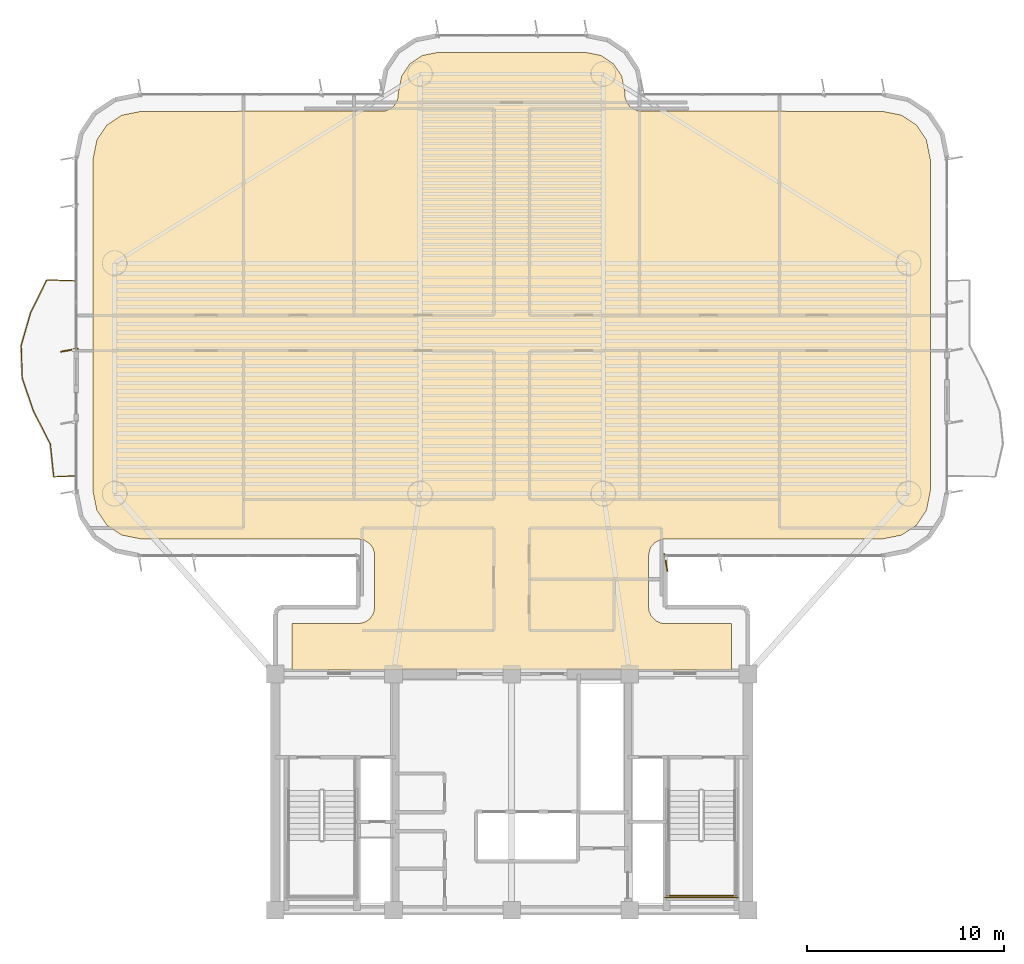
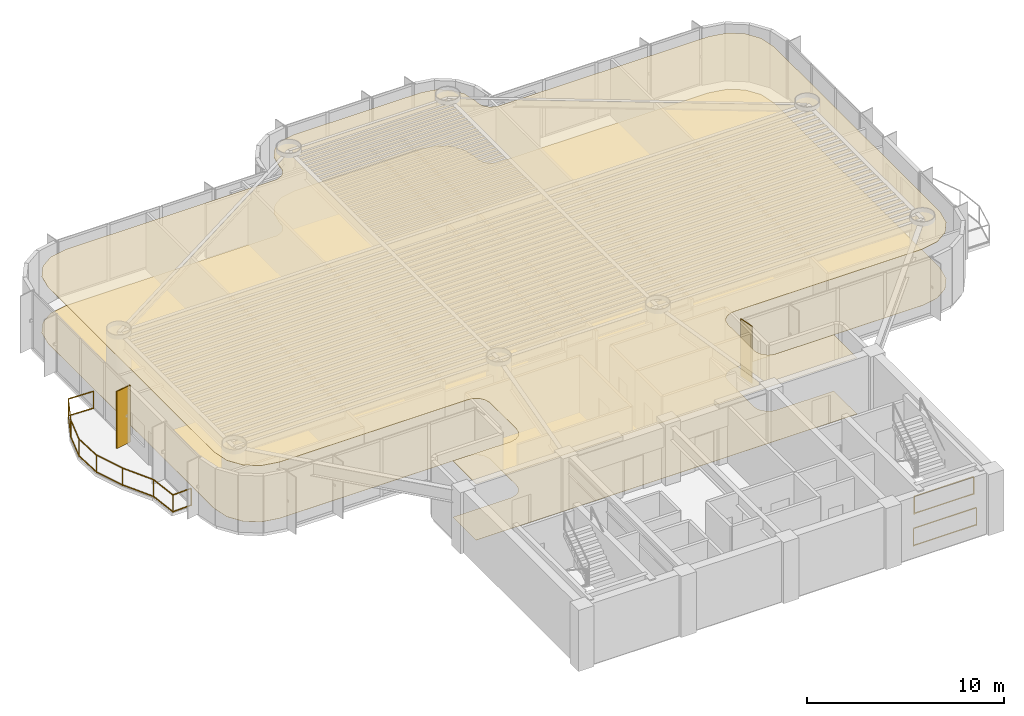
# One storey, part 14 of 16: 3 railings, 2 coverings, 2 shading devices.
"""IFC4 building model written with IfcOpenShell, lengths in metres."""

from ifc_helpers import new_model, si_unit, direction, frame, origin, origin_2d, place, context, subcontext, project, spatial, polyline, rectangle, outline, extrude, source, transform, mapped, material, layer, layer_set, material_profile, profile_set, type_object, element, save


model = new_model("IFC4")

# Units and contexts
model_context = context("Model", 3, precision=1e-05, world=origin(), true_north=direction((0.0, 1.0)))
body_context = subcontext(model_context, "Body", "Model", "MODEL_VIEW")
ifc_project = project(units=[si_unit("LENGTHUNIT", "METRE"), si_unit("AREAUNIT", "SQUARE_METRE"), si_unit("VOLUMEUNIT", "CUBIC_METRE"), si_unit("PLANEANGLEUNIT", "RADIAN"), si_unit("MASSUNIT", "GRAM", prefix="KILO")], contexts=[model_context])

# Site, building, storey
site_placement = place(None, origin())
site = spatial("IfcSite", under=ifc_project, at=site_placement, CompositionType="ELEMENT")
building_placement = place(site_placement, origin())
building = spatial("IfcBuilding", under=site, at=building_placement, Name="Brelvock Crest Care Tower", CompositionType="ELEMENT")
storey_placement = place(building_placement, frame((0.0, 0.0, 120.06005859375)))
storey = spatial("IfcBuildingStorey", under=building, at=storey_placement, Name="L30", CompositionType="ELEMENT", Elevation=120.06005859375)

# Coverings
ifc_material_1 = material(Name="Mineral Fibre Acoustic Ceiling Tile", Category="gypsum")
ifc_layer_1 = layer(ifc_material_1, 0.02490234375, Name="COV-CLG1")
ifc_layer_set_1 = layer_set([ifc_layer_1], Name="Mineral Fibre Acoustic Ceiling Tile")
covering_type_1 = type_object("IfcCoveringType", Name="COV-CLG1", PredefinedType="CEILING", material=ifc_layer_set_1)
covering_1_placement = place(storey_placement, frame((0.0, 0.0, 3.474853515625)))
element("IfcCovering", 1, at=covering_1_placement, inside=storey, type_object=covering_type_1, Name="L30 Acoustic Suspended Ceiling 1", PredefinedType="CEILING", context=body_context, shape_type="SweptSolid", body=[
    extrude(outline(polyline([(24.85009765625, 18.199951171875), (47.14990234375, 18.199951171875), (47.14990234375, 20.550048828125), (43.716796875, 20.55419921875), (43.55322265625, 20.586669921875), (43.327880859375, 20.693359375), (43.09326171875, 20.927734375), (42.986572265625, 21.1533203125), (42.949951171875, 21.39990234375), (42.949951171875, 24.0), (43.0146484375, 24.3251953125), (43.09326171875, 24.47216796875), (43.2607421875, 24.656982421875), (43.55322265625, 24.8134765625), (43.800048828125, 24.85009765625), (54.81640625, 24.85009765625), (55.79296875, 25.044189453125), (56.5498046875, 25.550048828125), (57.0556640625, 26.30712890625), (57.25, 27.28369140625), (57.25, 44.1162109375), (57.0556640625, 45.093017578125), (56.5498046875, 45.849853515625), (55.79296875, 46.355712890625), (54.81640625, 46.550048828125), (42.43408203125, 46.56640625), (42.127685546875, 46.693359375), (41.9990234375, 46.799072265625), (41.850341796875, 46.999267578125), (41.766357421875, 47.234130859375), (41.75, 47.516357421875), (41.586181640625, 48.33984375), (41.1669921875, 48.967041015625), (40.539794921875, 49.38623046875), (39.71630859375, 49.550048828125), (32.28369140625, 49.550048828125), (31.460205078125, 49.38623046875), (30.8330078125, 48.967041015625), (30.413818359375, 48.33984375), (30.25, 47.516357421875), (30.233642578125, 47.234130859375), (30.149658203125, 46.999267578125), (30.0009765625, 46.799072265625), (29.872314453125, 46.693359375), (29.56591796875, 46.56640625), (17.18359375, 46.550048828125), (16.20703125, 46.355712890625), (15.4501953125, 45.849853515625), (14.9443359375, 45.093017578125), (14.75, 44.1162109375), (14.75, 27.28369140625), (14.9443359375, 26.30712890625), (15.4501953125, 25.550048828125), (16.20703125, 25.044189453125), (17.18359375, 24.85009765625), (28.199951171875, 24.85009765625), (28.525390625, 24.785400390625), (28.801025390625, 24.60107421875), (28.94970703125, 24.400634765625), (29.0458984375, 24.083251953125), (29.050048828125, 21.39990234375), (28.9853515625, 21.07470703125), (28.801025390625, 20.799072265625), (28.6005859375, 20.650390625), (28.283203125, 20.55419921875), (24.85009765625, 20.550048828125), (24.85009765625, 18.199951171875)])), origin(), (0.0, 0.0, 1.0), 0.025146484375),
])
ifc_material_2 = material(Name="Slip-Resistant Acoustic Vinyl Flooring", Category="finish")
ifc_layer_2 = layer(ifc_material_2, 0.014892578125, Name="COV-FLR1")
ifc_layer_set_2 = layer_set([ifc_layer_2], Name="Slip-Resistant Acoustic Vinyl Flooring")
covering_type_2 = type_object("IfcCoveringType", Name="COV-FLR1", PredefinedType="FLOORING", material=ifc_layer_set_2)
covering_2_placement = place(storey_placement, origin())
element("IfcCovering", 2, at=covering_2_placement, inside=storey, type_object=covering_type_2, Name="L30 Slip-Resistant Acoustic Flooring 1", PredefinedType="FLOORING", context=body_context, shape_type="SweptSolid", body=[
    extrude(outline(polyline([(24.85009765625, 18.199951171875), (47.14990234375, 18.199951171875), (47.14990234375, 20.550048828125), (43.716796875, 20.55419921875), (43.55322265625, 20.586669921875), (43.327880859375, 20.693359375), (43.09326171875, 20.927734375), (42.986572265625, 21.1533203125), (42.949951171875, 21.39990234375), (42.949951171875, 24.0), (43.0146484375, 24.3251953125), (43.09326171875, 24.47216796875), (43.2607421875, 24.656982421875), (43.55322265625, 24.8134765625), (43.800048828125, 24.85009765625), (54.81640625, 24.85009765625), (55.79296875, 25.044189453125), (56.5498046875, 25.550048828125), (57.0556640625, 26.30712890625), (57.25, 27.28369140625), (57.25, 44.1162109375), (57.0556640625, 45.093017578125), (56.5498046875, 45.849853515625), (55.79296875, 46.355712890625), (54.81640625, 46.550048828125), (42.43408203125, 46.56640625), (42.127685546875, 46.693359375), (41.9990234375, 46.799072265625), (41.850341796875, 46.999267578125), (41.766357421875, 47.234130859375), (41.75, 47.516357421875), (41.586181640625, 48.33984375), (41.1669921875, 48.967041015625), (40.539794921875, 49.38623046875), (39.71630859375, 49.550048828125), (32.28369140625, 49.550048828125), (31.460205078125, 49.38623046875), (30.8330078125, 48.967041015625), (30.413818359375, 48.33984375), (30.25, 47.516357421875), (30.233642578125, 47.234130859375), (30.149658203125, 46.999267578125), (30.0009765625, 46.799072265625), (29.872314453125, 46.693359375), (29.56591796875, 46.56640625), (17.18359375, 46.550048828125), (16.20703125, 46.355712890625), (15.4501953125, 45.849853515625), (14.9443359375, 45.093017578125), (14.75, 44.1162109375), (14.75, 27.28369140625), (14.9443359375, 26.30712890625), (15.4501953125, 25.550048828125), (16.20703125, 25.044189453125), (17.18359375, 24.85009765625), (28.199951171875, 24.85009765625), (28.525390625, 24.785400390625), (28.801025390625, 24.60107421875), (28.94970703125, 24.400634765625), (29.0458984375, 24.083251953125), (29.050048828125, 21.39990234375), (28.9853515625, 21.07470703125), (28.801025390625, 20.799072265625), (28.6005859375, 20.650390625), (28.283203125, 20.55419921875), (24.85009765625, 20.550048828125), (24.85009765625, 18.199951171875)])), origin(), (0.0, 0.0, 1.0), 0.014892578125),
])

# Railings
ifc_material_3 = material(Name="Dark Glass Double Glazed Low-E", Category="glass")
ifc_layer_3 = layer(ifc_material_3, 0.06005859375, Name="RL-BAL1")
ifc_layer_set_3 = layer_set([ifc_layer_3], Name="Dark Glass Double Glazed Low-E")
railing_type_1 = type_object("IfcRailingType", Name="RL-BAL1", PredefinedType="BALUSTRADE", material=ifc_layer_set_3)
railing_1_placement = place(storey_placement, frame((13.860107421875, 28.050048828125, 0.00390625)))
element("IfcRailing", 3, at=railing_1_placement, inside=storey, type_object=railing_type_1, Name="L30 Safety Balustrade WB-W", PredefinedType="BALUSTRADE", context=body_context, shape_type="SweptSolid", body=[
    extrude(rectangle(XDim=0.048095703125, YDim=0.048095703125, at=origin_2d()), frame((-0.001953125, 0.0, 1.09619140625), z_axis=(-0.998966710972, -0.045447886318, 0.0), x_axis=(0.045447886318, -0.998966710972, 0.0)), (0.0, 0.0, 1.0), 1.09716796875),
    extrude(rectangle(XDim=0.048095703125, YDim=0.048095703125, at=origin_2d()), frame((-0.001953125, 0.0, 0.054931640625), z_axis=(-0.998966710972, -0.045447886318, 0.0), x_axis=(0.045447886318, -0.998966710972, 0.0)), (0.0, 0.0, 1.0), 1.09716796875),
    extrude(rectangle(XDim=0.048095703125, YDim=0.048095703125, at=origin_2d()), frame((-1.100341796875, -0.048095703125, 1.09619140625), z_axis=(-0.103729188721, 0.994605577808, 0.0), x_axis=(-0.994605577808, -0.103729188721, 0.0)), (0.0, 0.0, 1.0), 1.671875),
    extrude(rectangle(XDim=0.048095703125, YDim=0.048095703125, at=origin_2d()), frame((-1.100341796875, -0.048095703125, 0.054931640625), z_axis=(-0.103729188721, 0.994605577808, 0.0), x_axis=(-0.994605577808, -0.103729188721, 0.0)), (0.0, 0.0, 1.0), 1.671875),
    extrude(rectangle(XDim=0.048095703125, YDim=0.048095703125, at=origin_2d()), frame((-1.27490234375, 1.618408203125, 1.09619140625), z_axis=(-0.454816788854, 0.890585026023, 0.0), x_axis=(-0.890585026023, -0.454816788854, 0.0)), (0.0, 0.0, 1.0), 1.8671875),
    extrude(rectangle(XDim=0.048095703125, YDim=0.048095703125, at=origin_2d()), frame((-1.27490234375, 1.618408203125, 0.054931640625), z_axis=(-0.454816788854, 0.890585026023, 0.0), x_axis=(-0.890585026023, -0.454816788854, 0.0)), (0.0, 0.0, 1.0), 1.8671875),
    extrude(rectangle(XDim=0.048095703125, YDim=0.048095703125, at=origin_2d()), frame((-2.125732421875, 3.28515625, 1.09619140625), z_axis=(-0.324735154132, 0.945804990297, 0.0), x_axis=(-0.945804990297, -0.324735154132, 0.0)), (0.0, 0.0, 1.0), 1.75830078125),
    extrude(rectangle(XDim=0.048095703125, YDim=0.048095703125, at=origin_2d()), frame((-2.125732421875, 3.28515625, 0.054931640625), z_axis=(-0.324735154132, 0.945804990297, 0.0), x_axis=(-0.945804990297, -0.324735154132, 0.0)), (0.0, 0.0, 1.0), 1.75830078125),
    extrude(rectangle(XDim=0.048095703125, YDim=0.048095703125, at=origin_2d()), frame((-2.697265625, 4.951904296875, 1.09619140625), z_axis=(-0.034109333385, 0.999418107388, 0.0), x_axis=(-0.999418107388, -0.034109333385, 0.0)), (0.0, 0.0, 1.0), 1.663818359375),
    extrude(rectangle(XDim=0.048095703125, YDim=0.048095703125, at=origin_2d()), frame((-2.697265625, 4.951904296875, 0.054931640625), z_axis=(-0.034109333385, 0.999418107388, 0.0), x_axis=(-0.999418107388, -0.034109333385, 0.0)), (0.0, 0.0, 1.0), 1.663818359375),
    extrude(rectangle(XDim=0.048095703125, YDim=0.048095703125, at=origin_2d()), frame((-2.753662109375, 6.61865234375, 1.09619140625), z_axis=(0.277935062116, 0.960599865317, 0.0), x_axis=(-0.960599865317, 0.277935062116, 0.0)), (0.0, 0.0, 1.0), 1.73095703125),
    extrude(rectangle(XDim=0.048095703125, YDim=0.048095703125, at=origin_2d()), frame((-2.753662109375, 6.61865234375, 0.054931640625), z_axis=(0.277935062116, 0.960599865317, 0.0), x_axis=(-0.960599865317, 0.277935062116, 0.0)), (0.0, 0.0, 1.0), 1.73095703125),
    extrude(rectangle(XDim=0.048095703125, YDim=0.048095703125, at=origin_2d()), frame((-2.27099609375, 8.284912109375, 1.09619140625), z_axis=(0.442214310765, 0.896909417586, 0.0), x_axis=(-0.896909417586, 0.442214310765, 0.0)), (0.0, 0.0, 1.0), 1.854248046875),
    extrude(rectangle(XDim=0.048095703125, YDim=0.048095703125, at=origin_2d()), frame((-2.27099609375, 8.284912109375, 0.054931640625), z_axis=(0.442214310765, 0.896909417586, 0.0), x_axis=(-0.896909417586, 0.442214310765, 0.0)), (0.0, 0.0, 1.0), 1.854248046875),
    extrude(rectangle(XDim=0.048095703125, YDim=0.048095703125, at=origin_2d()), frame((-1.4482421875, 9.949951171875, 1.09619140625), z_axis=(0.999404999824, -0.034491249994, 0.0), x_axis=(0.034491249994, 0.999404999824, 0.0)), (0.0, 0.0, 1.0), 1.447021484375),
    extrude(rectangle(XDim=0.048095703125, YDim=0.048095703125, at=origin_2d()), frame((-1.4482421875, 9.949951171875, 0.054931640625), z_axis=(0.999404999824, -0.034491249994, 0.0), x_axis=(0.034491249994, 0.999404999824, 0.0)), (0.0, 0.0, 1.0), 1.447021484375),
    extrude(rectangle(XDim=0.0419921875, YDim=0.0419921875, at=origin_2d()), origin(), (0.0, 0.0, 1.0), 1.070068359375),
    extrude(rectangle(XDim=0.0419921875, YDim=0.0419921875, at=origin_2d()), frame((-1.10009765625, -0.050048828125, 0.0)), (0.0, 0.0, 1.0), 1.070068359375),
    extrude(rectangle(XDim=0.0419921875, YDim=0.0419921875, at=origin_2d()), frame((-1.27392578125, 1.61669921875, 0.0)), (0.0, 0.0, 1.0), 1.070068359375),
    extrude(rectangle(XDim=0.0419921875, YDim=0.0419921875, at=origin_2d()), frame((-2.125, 3.283203125, 0.0)), (0.0, 0.0, 1.0), 1.070068359375),
    extrude(rectangle(XDim=0.0419921875, YDim=0.0419921875, at=origin_2d()), frame((-2.697265625, 4.949951171875, 0.0)), (0.0, 0.0, 1.0), 1.070068359375),
    extrude(rectangle(XDim=0.0419921875, YDim=0.0419921875, at=origin_2d()), frame((-2.754150390625, 6.61669921875, 0.0)), (0.0, 0.0, 1.0), 1.070068359375),
    extrude(rectangle(XDim=0.0419921875, YDim=0.0419921875, at=origin_2d()), frame((-2.27197265625, 8.283203125, 0.0)), (0.0, 0.0, 1.0), 1.070068359375),
    extrude(rectangle(XDim=0.0419921875, YDim=0.0419921875, at=origin_2d()), frame((-1.4501953125, 9.949951171875, 0.0)), (0.0, 0.0, 1.0), 1.070068359375),
    extrude(rectangle(XDim=0.0419921875, YDim=0.0419921875, at=origin_2d()), frame((0.0, 9.89990234375, 0.0)), (0.0, 0.0, 1.0), 1.070068359375),
])
ifc_material_4 = material(Name="Steel Grade 350", Category="steel")
ifc_layer_4 = layer(ifc_material_4, 0.050048828125, Name="RL-STG1")
ifc_layer_set_4 = layer_set([ifc_layer_4], Name="Steel Grade 350")
railing_type_2 = type_object("IfcRailingType", Name="RL-STG1", PredefinedType="GUARDRAIL", material=ifc_layer_set_4)
railing_2_placement = place(storey_placement, frame((43.889892578125, 6.75, 1.889892578125)))
element("IfcRailing", 4, at=railing_2_placement, inside=storey, type_object=railing_type_2, Name="L30 ST-2 stair guard 5", PredefinedType="GUARDRAIL", context=body_context, shape_type="SweptSolid", body=[
    extrude(rectangle(XDim=0.048095703125, YDim=0.048095703125, at=origin_2d()), frame((0.001953125, 0.0, 1.11572265625), z_axis=(1.0, 0.0, 0.0), x_axis=(0.0, 1.0, 0.0)), (0.0, 0.0, 1.0), 3.476318359375),
    extrude(rectangle(XDim=0.048095703125, YDim=0.048095703125, at=origin_2d()), frame((0.001953125, 0.0, 0.054931640625), z_axis=(1.0, 0.0, 0.0), x_axis=(0.0, 1.0, 0.0)), (0.0, 0.0, 1.0), 3.476318359375),
    extrude(rectangle(XDim=0.0419921875, YDim=0.0419921875, at=origin_2d()), origin(), (0.0, 0.0, 1.0), 1.08984375),
    extrude(rectangle(XDim=0.0419921875, YDim=0.0419921875, at=origin_2d()), frame((3.480224609375, 0.0, 0.0)), (0.0, 0.0, 1.0), 1.08984375),
])
railing_3_placement = place(storey_placement, frame((43.7900390625, 6.64990234375, 0.0)))
element("IfcRailing", 5, at=railing_3_placement, inside=storey, type_object=railing_type_2, Name="L30 ST-2 stair guard 12", PredefinedType="GUARDRAIL", context=body_context, shape_type="SweptSolid", body=[
    extrude(rectangle(XDim=0.048095703125, YDim=0.048095703125, at=origin_2d()), frame((0.001953125, 0.0, 1.11572265625), z_axis=(1.0, 0.0, 0.0), x_axis=(0.0, 1.0, 0.0)), (0.0, 0.0, 1.0), 3.676025390625),
    extrude(rectangle(XDim=0.048095703125, YDim=0.048095703125, at=origin_2d()), frame((0.001953125, 0.0, 0.054931640625), z_axis=(1.0, 0.0, 0.0), x_axis=(0.0, 1.0, 0.0)), (0.0, 0.0, 1.0), 3.676025390625),
    extrude(rectangle(XDim=0.0419921875, YDim=0.0419921875, at=origin_2d()), origin(), (0.0, 0.0, 1.0), 1.08984375),
    extrude(rectangle(XDim=0.0419921875, YDim=0.0419921875, at=origin_2d()), frame((3.679931640625, 0.0, 0.0)), (0.0, 0.0, 1.0), 1.08984375),
])

# Shading devices
ifc_material_5 = material(Name="Aluminium 6063-T6", Category="aluminium")
ifc_material_profile = material_profile(ifc_material_5, rectangle(XDim=0.054931640625, YDim=0.89990234375, at=origin_2d()), Name="FIN55x900")
ifc_profile_set = profile_set([ifc_material_profile], Name="Aluminium 6063-T6")
shading_device_type = type_object("IfcShadingDeviceType", Name="SHD-FIN1", PredefinedType="USERDEFINED", material=ifc_profile_set)
shared_shape = source(origin(), body_context, "Body", "SweptSolid", [
    extrude(rectangle(XDim=0.054931640625, YDim=0.89990234375, at=origin_2d()), origin(), (0.0, 0.0, 1.0), 3.530029296875),
])
for number, where, z_axis, x_axis, name in (
    (6, (13.56005859375, 34.429931640625, 0.0), (0.0, 0.0, 1.0), (-0.173648177667, 0.984807753012, 0.0), "L30 Vertical Sunshade Fin E17B-01"),
    (7, (43.830078125, 23.659912109375, 0.0), (0.0, 0.0, 1.0), (-0.984807753012, -0.173648177667, 0.0), "L30 Vertical Sunshade Fin E44-05"),
):
    element("IfcShadingDevice", number, at=place(storey_placement, frame(where, z_axis=z_axis, x_axis=x_axis)), inside=storey, type_object=shading_device_type, Name=name, ObjectType="FIN", PredefinedType="USERDEFINED", context=body_context, shape_type="MappedRepresentation", body=[
        mapped(shared_shape, transform((0.0, 0.0, 0.0), x_axis=(1.0, 0.0, 0.0), y_axis=(0.0, 1.0, 0.0), z_axis=(0.0, 0.0, 1.0), scale=1.0)),
    ])

save(model, "model.ifc")
